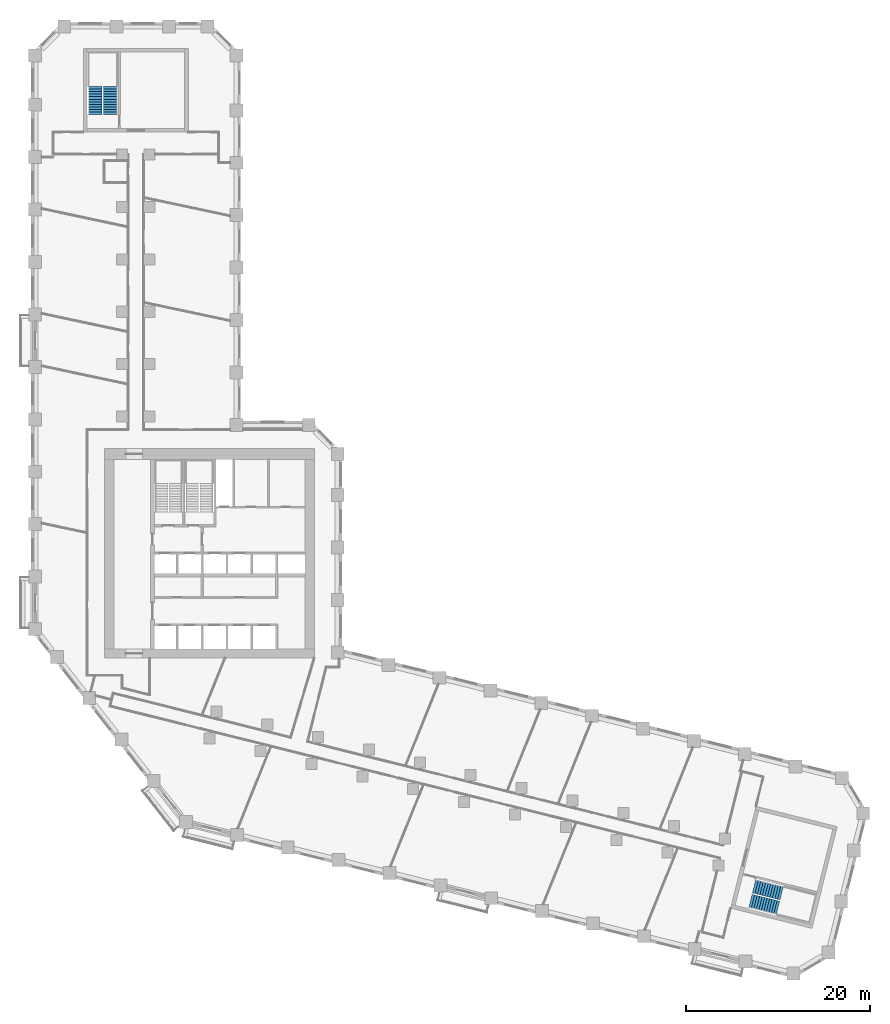
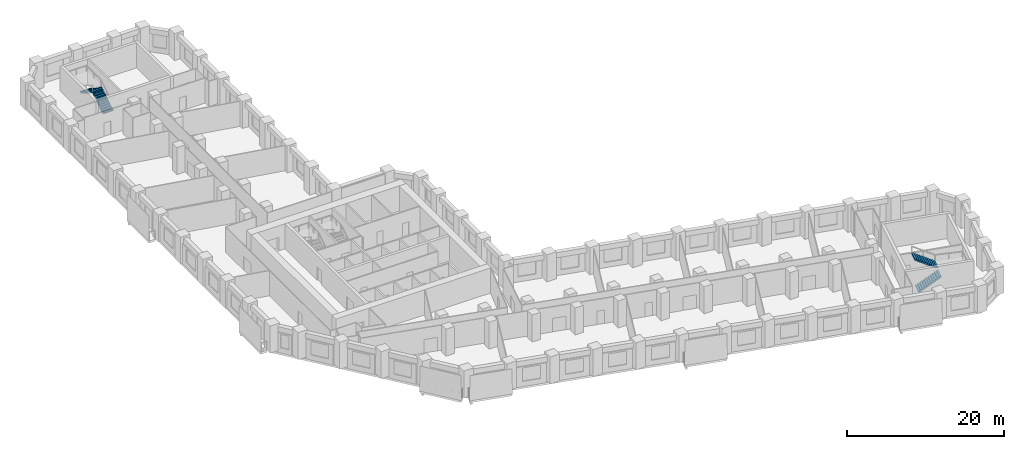
# One storey, part 10 of 11: 4 stair flights, 2 elements without a shape of their own.
"""IFC4 building model written with IfcOpenShell, lengths in metres."""

from ifc_helpers import new_model, si_unit, direction, frame, origin, place, context, subcontext, project, spatial, polyline, outline, extrude, material, type_object, element, aggregate, save


model = new_model("IFC4")

# Units and contexts
model_context = context("Model", 3, precision=1e-05, world=origin(), true_north=direction((0.0, 1.0)))
body_context = subcontext(model_context, "Body", "Model", "MODEL_VIEW")
ifc_project = project(units=[si_unit("LENGTHUNIT", "METRE"), si_unit("AREAUNIT", "SQUARE_METRE"), si_unit("VOLUMEUNIT", "CUBIC_METRE"), si_unit("PLANEANGLEUNIT", "RADIAN"), si_unit("MASSUNIT", "GRAM", prefix="KILO")], contexts=[model_context])

# Site, building, storey
site_placement = place(None, origin())
site = spatial("IfcSite", under=ifc_project, at=site_placement, CompositionType="ELEMENT")
building_placement = place(site_placement, origin())
building = spatial("IfcBuilding", under=site, at=building_placement, Name="Meshkara Civic Tower", CompositionType="ELEMENT")
storey_placement = place(building_placement, frame((0.0, 0.0, 37.199951171875)))
storey = spatial("IfcBuildingStorey", under=building, at=storey_placement, Name="L07", CompositionType="ELEMENT", Elevation=37.199951171875)

# Stair, stair flights
ifc_material_1 = material(Name="Precast concrete C40/50", Category="concrete")
stair_type = type_object("IfcStairType", Name="Exit stair half-turn 24 risers 1500 precast", PredefinedType="HALF_TURN_STAIR", material=ifc_material_1)
stair_1_placement = place(storey_placement, origin())
stair_1 = element("IfcStair", 1, at=stair_1_placement, inside=storey, type_object=stair_type, Name="L07 exit stair A from B2", PredefinedType="HALF_TURN_STAIR")
ifc_material_2 = material(Name="Precast concrete C40/50", Category="concrete")
stair_flight_type = type_object("IfcStairFlightType", Name="Exit stair flight 12 risers 1500 precast", PredefinedType="STRAIGHT", material=ifc_material_2)
stair_flight_1_placement = place(storey_placement, frame((8.625, 73.169921875, 0.0), z_axis=(0.0, 0.0, 1.0), x_axis=(0.0, 1.0, 0.0)))
stair_flight_1 = element("IfcStairFlight", 2, at=stair_flight_1_placement, type_object=stair_flight_type, Name="ESA1 flight 1", NumberOfRisers=12, NumberOfTreads=11, PredefinedType="STRAIGHT", RiserHeight=0.175, TreadLength=0.28, context=body_context, shape_type="SweptSolid", body=[
    extrude(outline(polyline([(0.0, 0.0), (0.0, 0.175048828125), (0.280029296875, 0.175048828125), (0.280029296875, 0.35009765625), (0.56005859375, 0.35009765625), (0.56005859375, 0.52490234375), (0.840087890625, 0.52490234375), (0.840087890625, 0.699951171875), (1.1201171875, 0.699951171875), (1.1201171875, 0.875), (1.39990234375, 0.875), (1.39990234375, 1.050048828125), (1.679931640625, 1.050048828125), (1.679931640625, 1.22509765625), (1.9599609375, 1.22509765625), (1.9599609375, 1.39990234375), (2.239990234375, 1.39990234375), (2.239990234375, 1.574951171875), (2.52001953125, 1.574951171875), (2.52001953125, 1.75), (2.800048828125, 1.75), (2.800048828125, 1.925048828125), (3.080078125, 1.925048828125), (3.080078125, 2.10009765625), (3.080078125, 1.748291015625), (0.28271484375, 0.0), (0.0, 0.0)])), frame((0.0, 0.75, 0.0), z_axis=(0.0, -1.0, 0.0), x_axis=(1.0, 0.0, 0.0)), (0.0, 0.0, 1.0), 1.5),
])
stair_flight_2_placement = place(storey_placement, frame((6.97509765625, 76.25, 2.10009765625), z_axis=(0.0, 0.0, 1.0), x_axis=(0.0, -1.0, 0.0)))
stair_flight_2 = element("IfcStairFlight", 3, at=stair_flight_2_placement, type_object=stair_flight_type, Name="ESA1 flight 2", NumberOfRisers=12, NumberOfTreads=11, PredefinedType="STRAIGHT", RiserHeight=0.175, TreadLength=0.28, context=body_context, shape_type="SweptSolid", body=[
    extrude(outline(polyline([(0.0, 0.0), (0.0, 0.175048828125), (0.280029296875, 0.175048828125), (0.280029296875, 0.35009765625), (0.56005859375, 0.35009765625), (0.56005859375, 0.52490234375), (0.840087890625, 0.52490234375), (0.840087890625, 0.699951171875), (1.1201171875, 0.699951171875), (1.1201171875, 0.875), (1.39990234375, 0.875), (1.39990234375, 1.050048828125), (1.679931640625, 1.050048828125), (1.679931640625, 1.22509765625), (1.9599609375, 1.22509765625), (1.9599609375, 1.39990234375), (2.239990234375, 1.39990234375), (2.239990234375, 1.574951171875), (2.52001953125, 1.574951171875), (2.52001953125, 1.75), (2.800048828125, 1.75), (2.800048828125, 1.925048828125), (3.080078125, 1.925048828125), (3.080078125, 2.10009765625), (3.080078125, 1.748291015625), (0.28271484375, 0.0), (0.0, 0.0)])), frame((0.0, 0.75, 0.0), z_axis=(0.0, -1.0, 0.0), x_axis=(1.0, 0.0, 0.0)), (0.0, 0.0, 1.0), 1.5),
])
aggregate(stair_1, [stair_flight_1, stair_flight_2])

stair_2_placement = place(storey_placement, origin())
stair_2 = element("IfcStair", 4, at=stair_2_placement, inside=storey, type_object=stair_type, Name="L07 exit stair B from B2", PredefinedType="HALF_TURN_STAIR")
stair_flight_3_placement = place(storey_placement, frame((78.214599609375, -12.3125, 0.0), z_axis=(0.0, 0.0, 1.0), x_axis=(0.970260066579, -0.242064873955, 0.0)))
stair_flight_3 = element("IfcStairFlight", 5, at=stair_flight_3_placement, type_object=stair_flight_type, Name="ESB1 flight 1", NumberOfRisers=12, NumberOfTreads=11, PredefinedType="STRAIGHT", RiserHeight=0.175, TreadLength=0.28, context=body_context, shape_type="SweptSolid", body=[
    extrude(outline(polyline([(0.0, 0.0), (0.0, 0.175048828125), (0.280029296875, 0.175048828125), (0.280029296875, 0.35009765625), (0.56005859375, 0.35009765625), (0.56005859375, 0.52490234375), (0.840087890625, 0.52490234375), (0.840087890625, 0.699951171875), (1.1201171875, 0.699951171875), (1.1201171875, 0.875), (1.39990234375, 0.875), (1.39990234375, 1.050048828125), (1.679931640625, 1.050048828125), (1.679931640625, 1.22509765625), (1.9599609375, 1.22509765625), (1.9599609375, 1.39990234375), (2.239990234375, 1.39990234375), (2.239990234375, 1.574951171875), (2.52001953125, 1.574951171875), (2.52001953125, 1.75), (2.800048828125, 1.75), (2.800048828125, 1.925048828125), (3.080078125, 1.925048828125), (3.080078125, 2.10009765625), (3.080078125, 1.748291015625), (0.28271484375, 0.0), (0.0, 0.0)])), frame((0.0, 0.75, 0.0), z_axis=(0.0, -1.0, 0.0), x_axis=(1.0, 0.0, 0.0)), (0.0, 0.0, 1.0), 1.5),
])
stair_flight_4_placement = place(storey_placement, frame((81.6025390625, -11.457275390625, 2.10009765625), z_axis=(0.0, 0.0, 1.0), x_axis=(-0.970260066579, 0.242064873955, 0.0)))
stair_flight_4 = element("IfcStairFlight", 6, at=stair_flight_4_placement, type_object=stair_flight_type, Name="ESB1 flight 2", NumberOfRisers=12, NumberOfTreads=11, PredefinedType="STRAIGHT", RiserHeight=0.175, TreadLength=0.28, context=body_context, shape_type="SweptSolid", body=[
    extrude(outline(polyline([(0.0, 0.0), (0.0, 0.175048828125), (0.280029296875, 0.175048828125), (0.280029296875, 0.35009765625), (0.56005859375, 0.35009765625), (0.56005859375, 0.52490234375), (0.840087890625, 0.52490234375), (0.840087890625, 0.699951171875), (1.1201171875, 0.699951171875), (1.1201171875, 0.875), (1.39990234375, 0.875), (1.39990234375, 1.050048828125), (1.679931640625, 1.050048828125), (1.679931640625, 1.22509765625), (1.9599609375, 1.22509765625), (1.9599609375, 1.39990234375), (2.239990234375, 1.39990234375), (2.239990234375, 1.574951171875), (2.52001953125, 1.574951171875), (2.52001953125, 1.75), (2.800048828125, 1.75), (2.800048828125, 1.925048828125), (3.080078125, 1.925048828125), (3.080078125, 2.10009765625), (3.080078125, 1.748291015625), (0.28271484375, 0.0), (0.0, 0.0)])), frame((0.0, 0.75, 0.0), z_axis=(0.0, -1.0, 0.0), x_axis=(1.0, 0.0, 0.0)), (0.0, 0.0, 1.0), 1.5),
])
aggregate(stair_2, [stair_flight_3, stair_flight_4])

save(model, "model.ifc")
